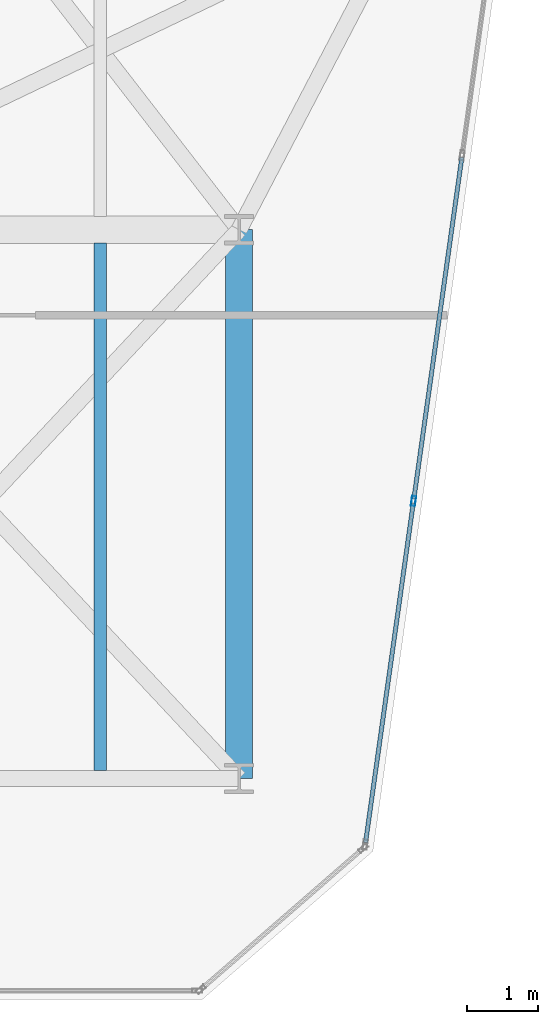
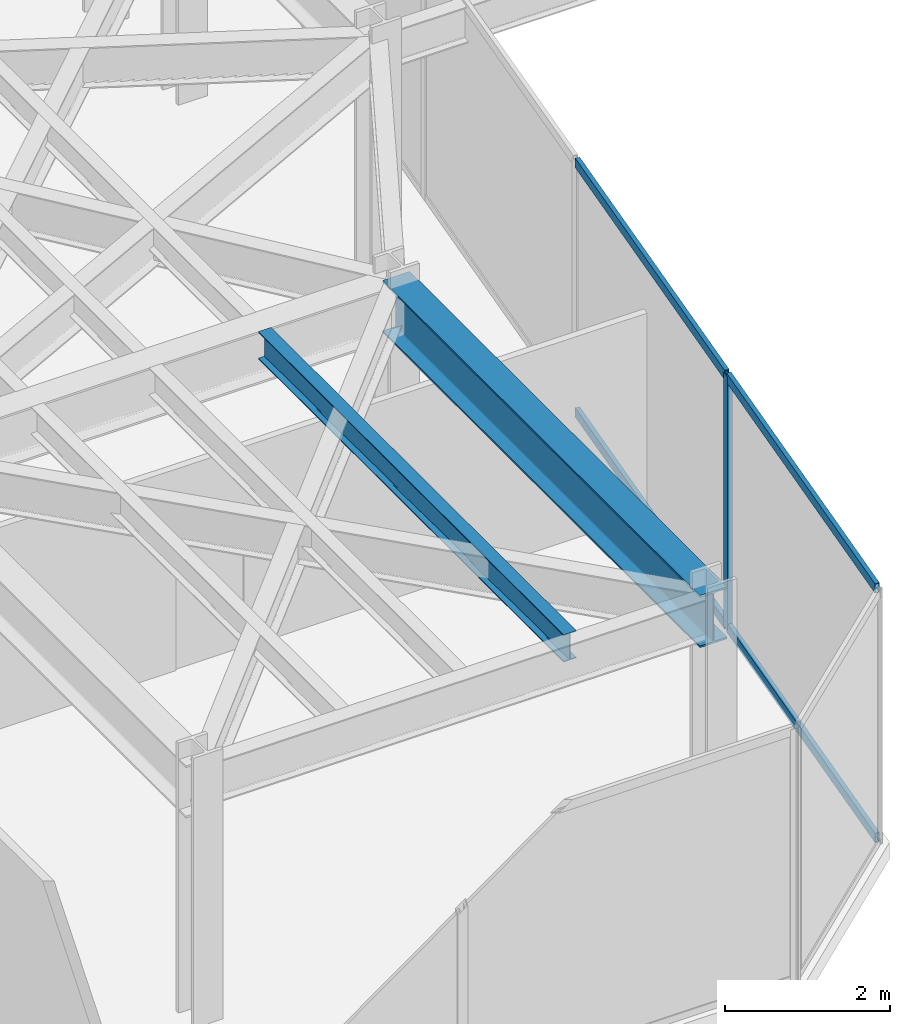
# One storey, part 11 of 21: 5 members, 2 beams, 1 element without a shape of its own.
"""IFC4 building model written with IfcOpenShell, lengths in metres."""

from ifc_helpers import new_model, si_unit, direction, frame, origin, origin_2d, place, context, subcontext, project, spatial, hollow_rectangle, i_section, extrude, material, layer, layer_set, material_profile, profile_set, type_object, element, aggregate, save


model = new_model("IFC4")

# Units and contexts
model_context = context("Model", 3, precision=1e-05, world=origin(), true_north=direction((0.0, 1.0)))
body_context = subcontext(model_context, "Body", "Model", "MODEL_VIEW")
ifc_project = project(units=[si_unit("LENGTHUNIT", "METRE"), si_unit("AREAUNIT", "SQUARE_METRE"), si_unit("VOLUMEUNIT", "CUBIC_METRE"), si_unit("PLANEANGLEUNIT", "RADIAN"), si_unit("MASSUNIT", "GRAM", prefix="KILO")], contexts=[model_context])

# Site, building, storey
site_placement = place(None, origin())
site = spatial("IfcSite", under=ifc_project, at=site_placement, CompositionType="ELEMENT")
building_placement = place(site_placement, origin())
building = spatial("IfcBuilding", under=site, at=building_placement, Name="Kravanh Interchange Tower", CompositionType="ELEMENT")
storey_placement = place(building_placement, frame((0.0, 0.0, 160.5)))
storey = spatial("IfcBuildingStorey", under=building, at=storey_placement, Name="L38", CompositionType="ELEMENT", Elevation=160.5)

# Curtain wall, members
ifc_material_1 = material(Name="Anodised Bronze Aluminium", Category="aluminium")
ifc_layer = layer(ifc_material_1, 0.179931640625)
ifc_layer_set = layer_set([ifc_layer], Name="Unitised Curtain Wall System CW-Z3 Upper Office")
curtain_wall_type = type_object("IfcCurtainWallType", Name="Unitised Curtain Wall System CW-Z3 Upper Office", PredefinedType="NOTDEFINED", material=ifc_layer_set)
curtain_wall_placement = place(storey_placement, origin())
curtain_wall = element("IfcCurtainWall", 1, at=curtain_wall_placement, inside=storey, type_object=curtain_wall_type, Name="L38 Unitised Curtain Wall CW-L38-01", PredefinedType="NOTDEFINED")
ifc_material_2 = material(Name="Anodised Bronze Aluminium", Category="aluminium")
ifc_material_profile_1 = material_profile(ifc_material_2, hollow_rectangle(XDim=0.06005859375, YDim=0.139892578125, WallThickness=0.00390625, at=origin_2d()), Name="ALU60X140X4")
ifc_profile_set_1 = profile_set([ifc_material_profile_1], Name="Anodised Bronze Aluminium")
member_type_1 = type_object("IfcMemberType", Name="Curtain Wall Mullion ALU60X140X4 Bronze", PredefinedType="MULLION", material=ifc_profile_set_1)
member_1_placement = place(storey_placement, frame((65.6474609375, 18.392578125, 0.0), z_axis=(0.0, 0.0, 1.0), x_axis=(0.990268194035, -0.139172209446, 0.0)))
member_1 = element("IfcMember", 2, at=member_1_placement, type_object=member_type_1, Name="CW-Z3 mullion 5", PredefinedType="MULLION", context=body_context, shape_type="SweptSolid", body=[
    extrude(hollow_rectangle(XDim=0.06005859375, YDim=0.139892578125, WallThickness=0.00390625, at=origin_2d()), origin(), (0.0, 0.0, 1.0), 3.7548828125),
])
ifc_material_3 = material(Name="Anodised Bronze Aluminium", Category="aluminium")
ifc_material_profile_2 = material_profile(ifc_material_3, hollow_rectangle(XDim=0.06005859375, YDim=0.139892578125, WallThickness=0.00390625, at=origin_2d()), Name="ALU60X140X4")
ifc_profile_set_2 = profile_set([ifc_material_profile_2], Name="Anodised Bronze Aluminium")
member_type_2 = type_object("IfcMemberType", Name="Curtain Wall Transom ALU60X140X4 Bronze", PredefinedType="USERDEFINED", material=ifc_profile_set_2)
member_2_placement = place(storey_placement, frame((66.3251953125, 23.214599609375, 0.030029296875), z_axis=(-0.139189127663, -0.990265816203, 0.0), x_axis=(0.990265816203, -0.139189127663, 0.0)))
member_2 = element("IfcMember", 3, at=member_2_placement, type_object=member_type_2, Name="CW-Z3 transom 4.1", ObjectType="TRANSOM", PredefinedType="USERDEFINED", context=body_context, shape_type="SweptSolid", body=[
    extrude(hollow_rectangle(XDim=0.06005859375, YDim=0.139892578125, WallThickness=0.00390625, at=origin_2d()), origin(), (0.0, 0.0, 1.0), 4.83935546875),
])
member_3_placement = place(storey_placement, frame((66.3251953125, 23.214599609375, 3.72509765625), z_axis=(-0.139189127663, -0.990265816203, 0.0), x_axis=(0.990265816203, -0.139189127663, 0.0)))
member_3 = element("IfcMember", 4, at=member_3_placement, type_object=member_type_2, Name="CW-Z3 transom 4.2", ObjectType="TRANSOM", PredefinedType="USERDEFINED", context=body_context, shape_type="SweptSolid", body=[
    extrude(hollow_rectangle(XDim=0.06005859375, YDim=0.139892578125, WallThickness=0.00390625, at=origin_2d()), origin(), (0.0, 0.0, 1.0), 4.83935546875),
])
member_4_placement = place(storey_placement, frame((65.643310546875, 18.36279296875, 0.030029296875), z_axis=(-0.139189497915, -0.990265764161, 0.0), x_axis=(0.990265764161, -0.139189497915, 0.0)))
member_4 = element("IfcMember", 5, at=member_4_placement, type_object=member_type_2, Name="CW-Z3 transom 5.1", ObjectType="TRANSOM", PredefinedType="USERDEFINED", context=body_context, shape_type="SweptSolid", body=[
    extrude(hollow_rectangle(XDim=0.06005859375, YDim=0.139892578125, WallThickness=0.00390625, at=origin_2d()), origin(), (0.0, 0.0, 1.0), 4.8095703125),
])
member_5_placement = place(storey_placement, frame((65.643310546875, 18.36279296875, 3.72509765625), z_axis=(-0.139189497915, -0.990265764161, 0.0), x_axis=(0.990265764161, -0.139189497915, 0.0)))
member_5 = element("IfcMember", 6, at=member_5_placement, type_object=member_type_2, Name="CW-Z3 transom 5.2", ObjectType="TRANSOM", PredefinedType="USERDEFINED", context=body_context, shape_type="SweptSolid", body=[
    extrude(hollow_rectangle(XDim=0.06005859375, YDim=0.139892578125, WallThickness=0.00390625, at=origin_2d()), origin(), (0.0, 0.0, 1.0), 4.8095703125),
])
aggregate(curtain_wall, [member_1, member_2, member_3, member_4, member_5])

# Beams
ifc_material_4 = material(Name="Structural Steel S355", Category="steel")
ifc_material_profile_3 = material_profile(ifc_material_4, i_section(OverallWidth=0.381103515625, OverallDepth=0.77294921875, WebThickness=0.0166015625, FlangeThickness=0.027099609375, FilletRadius=0.02490234375, at=origin_2d()), Name="W30X173")
ifc_profile_set_3 = profile_set([ifc_material_profile_3], Name="Structural Steel S355")
beam_type_1 = type_object("IfcBeamType", Name="Floor Beam W30X173 Structural Steel S355", PredefinedType="BEAM", material=ifc_profile_set_3)
beam_1_placement = place(storey_placement, frame((63.199951171875, 14.5, 3.368408203125), z_axis=(0.0, 1.0, 0.0), x_axis=(-1.0, 0.0, 0.0)))
element("IfcBeam", 7, at=beam_1_placement, inside=storey, type_object=beam_type_1, Name="L38 Primary Floor Girder 89", PredefinedType="BEAM", context=body_context, shape_type="SweptSolid", body=[
    extrude(i_section(OverallWidth=0.381103515625, OverallDepth=0.77294921875, WebThickness=0.0166015625, FlangeThickness=0.027099609375, FilletRadius=0.02490234375, at=origin_2d()), origin(), (0.0, 0.0, 1.0), 7.699951171875),
])
ifc_material_5 = material(Name="Structural Steel S355", Category="steel")
ifc_material_profile_4 = material_profile(ifc_material_5, i_section(OverallWidth=0.177978515625, OverallDepth=0.406005859375, WebThickness=0.0078125, FlangeThickness=0.0126953125, FilletRadius=0.01611328125, at=origin_2d()), Name="W16X40")
ifc_profile_set_4 = profile_set([ifc_material_profile_4], Name="Structural Steel S355")
beam_type_2 = type_object("IfcBeamType", Name="Floor Joist W16X40 Structural Steel S355", PredefinedType="JOIST", material=ifc_profile_set_4)
beam_2_placement = place(storey_placement, frame((61.251953125, 14.60888671875, 3.552001953125), z_axis=(0.0, 1.0, 0.0), x_axis=(-1.0, 0.0, 0.0)))
element("IfcBeam", 8, at=beam_2_placement, inside=storey, type_object=beam_type_2, Name="L38 Secondary Floor Joist 6", PredefinedType="JOIST", context=body_context, shape_type="SweptSolid", body=[
    extrude(i_section(OverallWidth=0.177978515625, OverallDepth=0.406005859375, WebThickness=0.0078125, FlangeThickness=0.0126953125, FilletRadius=0.01611328125, at=origin_2d()), origin(), (0.0, 0.0, 1.0), 7.405517578125),
])

save(model, "model.ifc")
